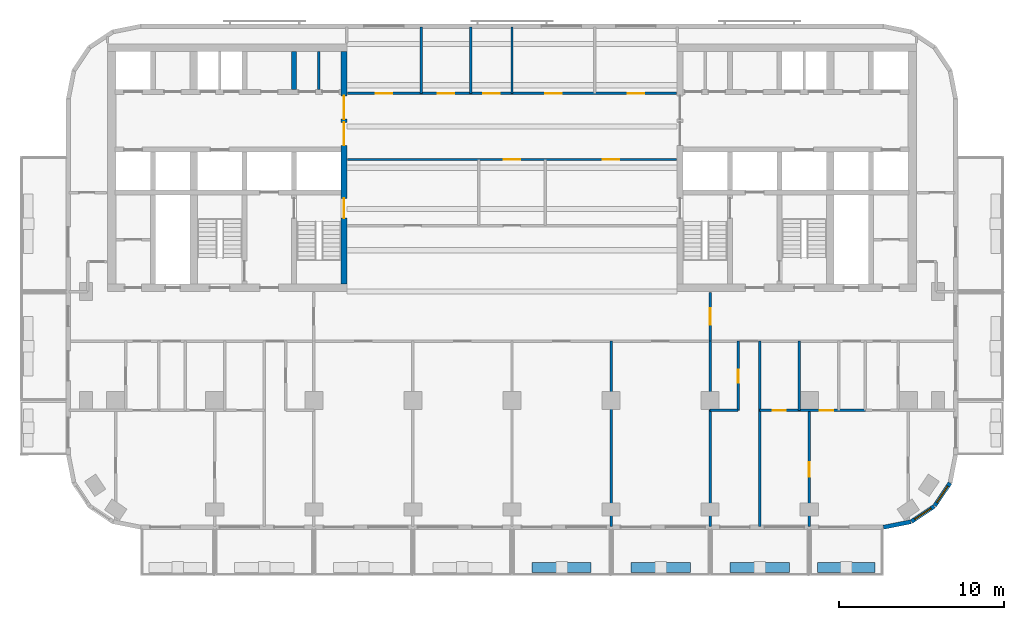
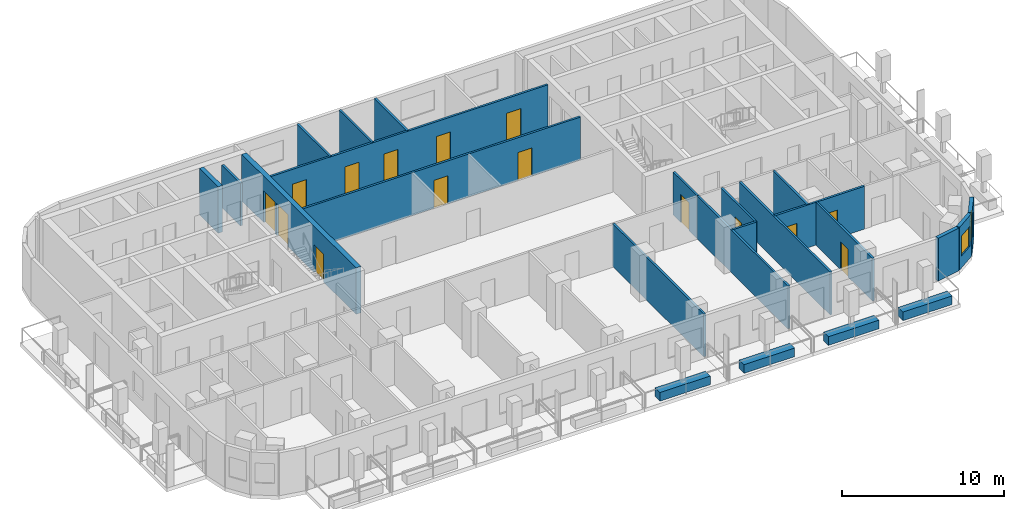
# One storey, part 5 of 12: 24 walls, 15 doors, 2 windows, 17 openings.
"""IFC4 building model written with IfcOpenShell, lengths in metres."""

from ifc_helpers import new_model, si_unit, direction, frame, frame_2d, origin, place, context, subcontext, project, spatial, rectangle, extrude, material, layer, layer_set, type_object, element, fill, save


model = new_model("IFC4")

# Units and contexts
model_context = context("Model", 3, precision=1e-05, world=origin(), true_north=direction((0.0, 1.0)))
body_context = subcontext(model_context, "Body", "Model", "MODEL_VIEW")
ifc_project = project(units=[si_unit("LENGTHUNIT", "METRE"), si_unit("AREAUNIT", "SQUARE_METRE"), si_unit("VOLUMEUNIT", "CUBIC_METRE"), si_unit("PLANEANGLEUNIT", "RADIAN"), si_unit("MASSUNIT", "GRAM", prefix="KILO")], contexts=[model_context])

# Site, building, storey
site_placement = place(None, origin())
site = spatial("IfcSite", under=ifc_project, at=site_placement, CompositionType="ELEMENT")
building_placement = place(site_placement, origin())
building = spatial("IfcBuilding", under=site, at=building_placement, Name="Torana Hotel and Residences", CompositionType="ELEMENT")
storey_placement = place(building_placement, frame((0.0, 0.0, 197.60009765625)))
storey = spatial("IfcBuildingStorey", under=building, at=storey_placement, Name="L51", CompositionType="ELEMENT", Elevation=197.60009765625)

# Wall
ifc_material_1 = material(Name="Concrete C70/85", Category="concrete")
ifc_layer_1 = layer(ifc_material_1, 0.300048828125)
ifc_layer_set_1 = layer_set([ifc_layer_1], Name="CORE WALL 300 C70/85")
wall_type_1 = type_object("IfcWallType", Name="CORE WALL 300 C70/85", PredefinedType="SHEAR", material=ifc_layer_set_1)
wall_1_placement = place(storey_placement, frame((-13.199951171875, -2.75, 0.0), z_axis=(0.0, 0.0, 1.0), x_axis=(0.0, 1.0, 0.0)))
element("IfcWall", 1, at=wall_1_placement, inside=storey, type_object=wall_type_1, Name="Core wall W x3.05-N", PredefinedType="SHEAR", context=body_context, shape_type="SweptSolid", body=[
    extrude(rectangle(XDim=2.300048828125, YDim=0.300048828125, at=frame_2d((1.14990234375, 0.0))), origin(), (0.0, 0.0, 1.0), 3.5),
])

# Wall, openings, doors
ifc_material_2 = material(Name="Concrete C70/85", Category="concrete")
ifc_layer_2 = layer(ifc_material_2, 0.35009765625)
ifc_layer_set_2 = layer_set([ifc_layer_2], Name="CORE WALL 350 C70/85")
wall_type_2 = type_object("IfcWallType", Name="CORE WALL 350 C70/85", PredefinedType="SHEAR", material=ifc_layer_set_2)
wall_2_placement = place(storey_placement, frame((-10.175048828125, -14.550048828125, 0.0), z_axis=(0.0, 0.0, 1.0), x_axis=(0.0, 1.0, 0.0)))
wall_2 = element("IfcWall", 2, at=wall_2_placement, inside=storey, type_object=wall_type_2, Name="Core wall W arch", PredefinedType="SHEAR", context=body_context, shape_type="SweptSolid", body=[
    extrude(rectangle(XDim=14.10009765625, YDim=0.35009765625, at=frame_2d((7.050048828125, 0.0))), origin(), (0.0, 0.0, 1.0), 3.5),
])
opening_1_placement = place(wall_2_placement, frame((8.39990234375, 0.0, 0.0)))
opening_1 = element("IfcOpeningElement", 3, at=opening_1_placement, cuts=wall_2, Name="Opening L51-01", PredefinedType="OPENING", context=body_context, shape_type="SweptSolid", body=[
    extrude(rectangle(XDim=1.39990234375, YDim=2.39990234375, at=frame_2d((0.699951171875, 1.199951171875))), frame((0.0, 0.18505859375, 0.0), z_axis=(0.0, -1.0, 0.0), x_axis=(1.0, 0.0, 0.0)), (0.0, 0.0, 1.0), 0.3701171875),
])
opening_2_placement = place(wall_2_placement, frame((10.0, 0.0, 0.0)))
opening_2 = element("IfcOpeningElement", 4, at=opening_2_placement, cuts=wall_2, Name="Opening L51-02", PredefinedType="OPENING", context=body_context, shape_type="SweptSolid", body=[
    extrude(rectangle(XDim=1.39990234375, YDim=2.39990234375, at=frame_2d((0.699951171875, 1.199951171875))), frame((0.0, 0.18505859375, 0.0), z_axis=(0.0, -1.0, 0.0), x_axis=(1.0, 0.0, 0.0)), (0.0, 0.0, 1.0), 0.3701171875),
])
opening_3_placement = place(wall_2_placement, frame((4.0, 0.0, 0.0)))
opening_3 = element("IfcOpeningElement", 5, at=opening_3_placement, cuts=wall_2, Name="Opening L51-03", PredefinedType="OPENING", context=body_context, shape_type="SweptSolid", body=[
    extrude(rectangle(XDim=1.199951171875, YDim=2.10009765625, at=frame_2d((0.60009765625, 1.050048828125))), frame((0.0, 0.18505859375, 0.0), z_axis=(0.0, -1.0, 0.0), x_axis=(1.0, 0.0, 0.0)), (0.0, 0.0, 1.0), 0.3701171875),
])
ifc_material_3 = material(Name="Steel S235", Category="steel")
door_type_1 = type_object("IfcDoorType", Name="LOBBY FIRE DOOR D4 1400x2400", OperationType="DOUBLE_DOOR_SINGLE_SWING", PredefinedType="DOOR", material=ifc_material_3)
door_1_placement = place(opening_1_placement, origin())
door_1 = element("IfcDoor", 6, at=door_1_placement, inside=storey, type_object=door_type_1, Name="Lobby-1 door L51", OperationType="DOUBLE_DOOR_SINGLE_SWING", OverallHeight=2.39990234375, OverallWidth=1.39990234375, PredefinedType="DOOR", context=body_context, shape_type="SweptSolid", body=[
    extrude(rectangle(XDim=1.39990234375, YDim=2.39990234375, at=frame_2d((0.699951171875, 1.199951171875))), frame((0.0, 0.02490234375, 0.0), z_axis=(0.0, -1.0, 0.0), x_axis=(1.0, 0.0, 0.0)), (0.0, 0.0, 1.0), 0.050048828125),
])
fill(opening_1, door_1)
door_2_placement = place(opening_2_placement, origin())
door_2 = element("IfcDoor", 7, at=door_2_placement, inside=storey, type_object=door_type_1, Name="Lobby-2 door L51", OperationType="DOUBLE_DOOR_SINGLE_SWING", OverallHeight=2.39990234375, OverallWidth=1.39990234375, PredefinedType="DOOR", context=body_context, shape_type="SweptSolid", body=[
    extrude(rectangle(XDim=1.39990234375, YDim=2.39990234375, at=frame_2d((0.699951171875, 1.199951171875))), frame((0.0, 0.02490234375, 0.0), z_axis=(0.0, -1.0, 0.0), x_axis=(1.0, 0.0, 0.0)), (0.0, 0.0, 1.0), 0.050048828125),
])
fill(opening_2, door_2)
ifc_material_4 = material(Name="Steel S235", Category="steel")
door_type_2 = type_object("IfcDoorType", Name="STAIR FIRE DOOR D3 1200x2100", OperationType="SINGLE_SWING_LEFT", PredefinedType="DOOR", material=ifc_material_4)
door_3_placement = place(opening_3_placement, origin())
door_3 = element("IfcDoor", 8, at=door_3_placement, inside=storey, type_object=door_type_2, Name="Stair-A door L51", OperationType="SINGLE_SWING_LEFT", OverallHeight=2.10009765625, OverallWidth=1.199951171875, PredefinedType="DOOR", context=body_context, shape_type="SweptSolid", body=[
    extrude(rectangle(XDim=1.199951171875, YDim=2.10009765625, at=frame_2d((0.60009765625, 1.050048828125))), frame((0.0, 0.02490234375, 0.0), z_axis=(0.0, -1.0, 0.0), x_axis=(1.0, 0.0, 0.0)), (0.0, 0.0, 1.0), 0.050048828125),
])
fill(opening_3, door_3)

# Wall
ifc_material_5 = material(Name="Black aluminium composite panel", Category="aluminium")
ifc_layer_3 = layer(ifc_material_5, 0.00390625, Name="Cladding", Category="cladding")
ifc_material_6 = material(Name="Ventilated air cavity")
ifc_layer_4 = layer(ifc_material_6, 0.0400390625, Name="Ventilated cavity", Category="cavity")
ifc_material_7 = material(Name="Mineral wool insulation")
ifc_layer_5 = layer(ifc_material_7, 0.090087890625, Name="Insulation", Category="insulation")
ifc_material_8 = material(Name="Steel S280GD", Category="steel")
ifc_layer_6 = layer(ifc_material_8, 0.092041015625, Name="Steel stud frame", Category="structure")
ifc_material_9 = material(Name="Fire rated plasterboard")
ifc_layer_7 = layer(ifc_material_9, 0.011962890625, Name="Inner board", Category="finish")
ifc_layer_8 = layer(ifc_material_9, 0.011962890625, Name="Second board", Category="finish")
ifc_layer_set_3 = layer_set([ifc_layer_3, ifc_layer_4, ifc_layer_5, ifc_layer_6, ifc_layer_7, ifc_layer_8], Name="EW1 EXTERNAL WALL BLACK METAL CLAD 250")
wall_type_3 = type_object("IfcWallType", Name="EW1 EXTERNAL WALL BLACK METAL CLAD 250", PredefinedType="SOLIDWALL", material=ifc_layer_set_3)
wall_3_placement = place(storey_placement, frame((22.499755859375, -29.272705078125, 0.0), z_axis=(0.0, 0.0, 1.0), x_axis=(0.980775640221, 0.19513878023, 0.0)))
element("IfcWall", 9, at=wall_3_placement, inside=storey, type_object=wall_type_3, Name="External wall L51 e0.15", PredefinedType="SOLIDWALL", context=body_context, shape_type="SweptSolid", body=[
    extrude(rectangle(XDim=1.681396484375, YDim=0.25, at=frame_2d((0.8408203125, 0.0))), origin(), (0.0, 0.0, 1.0), 3.219970703125),
])

# Wall, opening, window
wall_4_placement = place(storey_placement, frame((24.194091796875, -28.92578125, 0.0), z_axis=(0.0, 0.0, 1.0), x_axis=(0.831482937015, 0.55555029066, 0.0)))
wall_4 = element("IfcWall", 10, at=wall_4_placement, inside=storey, type_object=wall_type_3, Name="External wall L51 e0.16", PredefinedType="SOLIDWALL", context=body_context, shape_type="SweptSolid", body=[
    extrude(rectangle(XDim=1.65625, YDim=0.25, at=frame_2d((0.828125, 0.0))), origin(), (0.0, 0.0, 1.0), 3.219970703125),
])
opening_4_placement = place(wall_4_placement, frame((0.228271484375, 0.0, 0.89990234375)))
opening_4 = element("IfcOpeningElement", 11, at=opening_4_placement, cuts=wall_4, Name="Opening W5", PredefinedType="OPENING", context=body_context, shape_type="SweptSolid", body=[
    extrude(rectangle(XDim=1.199951171875, YDim=1.5, at=frame_2d((0.60009765625, 0.75))), frame((0.0, 0.135009765625, 0.0), z_axis=(0.0, -1.0, 0.0), x_axis=(1.0, 0.0, 0.0)), (0.0, 0.0, 1.0), 0.27001953125),
])
ifc_material_10 = material(Name="Dark glass in black aluminium frame", Category="aluminium")
window_type = type_object("IfcWindowType", Name="W5 CORNER FACET WINDOW 1200x1500", PartitioningType="SINGLE_PANEL", PredefinedType="WINDOW", material=ifc_material_10)
window_1_placement = place(opening_4_placement, origin())
window_1 = element("IfcWindow", 12, at=window_1_placement, inside=storey, type_object=window_type, Name="Window L51 e0.16", OverallHeight=1.5, OverallWidth=1.199951171875, PartitioningType="SINGLE_PANEL", PredefinedType="WINDOW", context=body_context, shape_type="SweptSolid", body=[
    extrude(rectangle(XDim=1.199951171875, YDim=1.5, at=frame_2d((0.60009765625, 0.75))), frame((0.0, 0.030029296875, 0.0), z_axis=(0.0, -1.0, 0.0), x_axis=(1.0, 0.0, 0.0)), (0.0, 0.0, 1.0), 0.06005859375),
])
fill(opening_4, window_1)

wall_5_placement = place(storey_placement, frame((25.605712890625, -27.97119140625, 0.0), z_axis=(0.0, 0.0, 1.0), x_axis=(0.55555029066, 0.831482937015, 0.0)))
wall_5 = element("IfcWall", 13, at=wall_5_placement, inside=storey, type_object=wall_type_3, Name="External wall L51 e0.17", PredefinedType="SOLIDWALL", context=body_context, shape_type="SweptSolid", body=[
    extrude(rectangle(XDim=1.65625, YDim=0.25, at=frame_2d((0.828125, 0.0))), origin(), (0.0, 0.0, 1.0), 3.219970703125),
])
opening_5_placement = place(wall_5_placement, frame((0.228271484375, 0.0, 0.89990234375)))
opening_5 = element("IfcOpeningElement", 14, at=opening_5_placement, cuts=wall_5, Name="Opening W5", PredefinedType="OPENING", context=body_context, shape_type="SweptSolid", body=[
    extrude(rectangle(XDim=1.199951171875, YDim=1.5, at=frame_2d((0.60009765625, 0.75))), frame((0.0, 0.135009765625, 0.0), z_axis=(0.0, -1.0, 0.0), x_axis=(1.0, 0.0, 0.0)), (0.0, 0.0, 1.0), 0.27001953125),
])
window_2_placement = place(opening_5_placement, origin())
window_2 = element("IfcWindow", 15, at=window_2_placement, inside=storey, type_object=window_type, Name="Window L51 e0.17", OverallHeight=1.5, OverallWidth=1.199951171875, PartitioningType="SINGLE_PANEL", PredefinedType="WINDOW", context=body_context, shape_type="SweptSolid", body=[
    extrude(rectangle(XDim=1.199951171875, YDim=1.5, at=frame_2d((0.60009765625, 0.75))), frame((0.0, 0.030029296875, 0.0), z_axis=(0.0, -1.0, 0.0), x_axis=(1.0, 0.0, 0.0)), (0.0, 0.0, 1.0), 0.06005859375),
])
fill(opening_5, window_2)

# Wall
ifc_material_11 = material(Name="Gypsum plaster")
ifc_layer_9 = layer(ifc_material_11, 0.014892578125, Name="Plaster", Category="finish")
ifc_material_12 = material(Name="Concrete blockwork", Category="masonry")
ifc_layer_10 = layer(ifc_material_12, 0.1201171875, Name="Blockwork", Category="structure")
ifc_layer_11 = layer(ifc_material_11, 0.014892578125, Name="Plaster", Category="finish")
ifc_layer_set_4 = layer_set([ifc_layer_9, ifc_layer_10, ifc_layer_11], Name="FIRE PARTITION 150 BLOCKWORK")
wall_type_4 = type_object("IfcWallType", Name="FIRE PARTITION 150 BLOCKWORK", PredefinedType="PARTITIONING", material=ifc_layer_set_4)
wall_6_placement = place(storey_placement, frame((-11.699951171875, -2.75, 0.0), z_axis=(0.0, 0.0, 1.0), x_axis=(0.0, 1.0, 0.0)))
element("IfcWall", 16, at=wall_6_placement, inside=storey, type_object=wall_type_4, Name="Core partition L51", PredefinedType="PARTITIONING", context=body_context, shape_type="SweptSolid", body=[
    extrude(rectangle(XDim=2.300048828125, YDim=0.14990234375, at=frame_2d((1.14990234375, 0.0))), origin(), (0.0, 0.0, 1.0), 3.199951171875),
])

# Wall, opening, door
wall_7_placement = place(storey_placement, frame((12.0, -18.0, 0.0), z_axis=(0.0, 0.0, 1.0), x_axis=(0.0, 1.0, 0.0)))
wall_7 = element("IfcWall", 17, at=wall_7_placement, inside=storey, type_object=wall_type_4, Name="Partition L51", PredefinedType="PARTITIONING", context=body_context, shape_type="SweptSolid", body=[
    extrude(rectangle(XDim=2.949951171875, YDim=0.14990234375, at=frame_2d((1.47509765625, 0.0))), origin(), (0.0, 0.0, 1.0), 3.219970703125),
])
opening_6_placement = place(wall_7_placement, frame((1.0, 0.0, 0.0)))
opening_6 = element("IfcOpeningElement", 18, at=opening_6_placement, cuts=wall_7, Name="Opening L51-38", PredefinedType="OPENING", context=body_context, shape_type="SweptSolid", body=[
    extrude(rectangle(XDim=1.0, YDim=2.10009765625, at=frame_2d((0.5, 1.050048828125))), frame((0.0, 0.0849609375, 0.0), z_axis=(0.0, -1.0, 0.0), x_axis=(1.0, 0.0, 0.0)), (0.0, 0.0, 1.0), 0.169921875),
])
ifc_material_13 = material(Name="Steel S235", Category="steel")
door_type_3 = type_object("IfcDoorType", Name="ENTRY FIRE DOOR D6 1000x2100", OperationType="SINGLE_SWING_LEFT", PredefinedType="DOOR", material=ifc_material_13)
door_4_placement = place(opening_6_placement, origin())
door_4 = element("IfcDoor", 19, at=door_4_placement, inside=storey, type_object=door_type_3, Name="Door L51", OperationType="SINGLE_SWING_RIGHT", OverallHeight=2.10009765625, OverallWidth=1.0, PredefinedType="DOOR", context=body_context, shape_type="SweptSolid", body=[
    extrude(rectangle(XDim=1.0, YDim=2.10009765625, at=frame_2d((0.5, 1.050048828125))), frame((0.0, 0.02490234375, 0.0), z_axis=(0.0, -1.0, 0.0), x_axis=(1.0, 0.0, 0.0)), (0.0, 0.0, 1.0), 0.050048828125),
])
fill(opening_6, door_4)

# Wall, openings, doors
wall_8_placement = place(storey_placement, frame((-9.949951171875, -7.0, 0.0), z_axis=(0.0, 0.0, 1.0), x_axis=(1.0, 0.0, 0.0)))
wall_8 = element("IfcWall", 20, at=wall_8_placement, inside=storey, type_object=wall_type_4, Name="Partition L51", PredefinedType="PARTITIONING", context=body_context, shape_type="SweptSolid", body=[
    extrude(rectangle(XDim=19.89990234375, YDim=0.14990234375, at=frame_2d((9.949951171875, 0.0))), origin(), (0.0, 0.0, 1.0), 3.219970703125),
])
opening_7_placement = place(wall_8_placement, frame((9.449951171875, 0.0, 0.0)))
opening_7 = element("IfcOpeningElement", 21, at=opening_7_placement, cuts=wall_8, Name="Opening L51-49", PredefinedType="OPENING", context=body_context, shape_type="SweptSolid", body=[
    extrude(rectangle(XDim=1.0, YDim=2.10009765625, at=frame_2d((0.5, 1.050048828125))), frame((0.0, 0.0849609375, 0.0), z_axis=(0.0, -1.0, 0.0), x_axis=(1.0, 0.0, 0.0)), (0.0, 0.0, 1.0), 0.169921875),
])
opening_8_placement = place(wall_8_placement, frame((15.449951171875, 0.0, 0.0)))
opening_8 = element("IfcOpeningElement", 22, at=opening_8_placement, cuts=wall_8, Name="Opening L51-50", PredefinedType="OPENING", context=body_context, shape_type="SweptSolid", body=[
    extrude(rectangle(XDim=1.0, YDim=2.10009765625, at=frame_2d((0.5, 1.050048828125))), frame((0.0, 0.0849609375, 0.0), z_axis=(0.0, -1.0, 0.0), x_axis=(1.0, 0.0, 0.0)), (0.0, 0.0, 1.0), 0.169921875),
])
door_5_placement = place(opening_7_placement, origin())
door_5 = element("IfcDoor", 23, at=door_5_placement, inside=storey, type_object=door_type_3, Name="Door L51", OperationType="SINGLE_SWING_RIGHT", OverallHeight=2.10009765625, OverallWidth=1.0, PredefinedType="DOOR", context=body_context, shape_type="SweptSolid", body=[
    extrude(rectangle(XDim=1.0, YDim=2.10009765625, at=frame_2d((0.5, 1.050048828125))), frame((0.0, 0.02490234375, 0.0), z_axis=(0.0, -1.0, 0.0), x_axis=(1.0, 0.0, 0.0)), (0.0, 0.0, 1.0), 0.050048828125),
])
fill(opening_7, door_5)
door_6_placement = place(opening_8_placement, frame((0.5, 0.0, 0.0), z_axis=(0.0, 0.0, 1.0), x_axis=(-1.0, 0.0, 0.0)))
door_6 = element("IfcDoor", 24, at=door_6_placement, inside=storey, type_object=door_type_3, Name="Door L51", OperationType="SINGLE_SWING_LEFT", OverallHeight=2.10009765625, OverallWidth=1.0, PredefinedType="DOOR", context=body_context, shape_type="SweptSolid", body=[
    extrude(rectangle(XDim=1.0, YDim=2.10009765625, at=frame_2d((0.0, 1.050048828125))), frame((0.0, -0.02490234375, 0.0), z_axis=(0.0, 1.0, 0.0), x_axis=(-1.0, 0.0, 0.0)), (0.0, 0.0, 1.0), 0.050048828125),
])
fill(opening_8, door_6)

wall_9_placement = place(storey_placement, frame((-9.949951171875, -3.0, 0.0), z_axis=(0.0, 0.0, 1.0), x_axis=(1.0, 0.0, 0.0)))
wall_9 = element("IfcWall", 25, at=wall_9_placement, inside=storey, type_object=wall_type_4, Name="Partition L51", PredefinedType="PARTITIONING", context=body_context, shape_type="SweptSolid", body=[
    extrude(rectangle(XDim=19.89990234375, YDim=0.14990234375, at=frame_2d((9.949951171875, 0.0))), origin(), (0.0, 0.0, 1.0), 3.219970703125),
])
opening_9_placement = place(wall_9_placement, frame((1.699951171875, 0.0, 0.0)))
opening_9 = element("IfcOpeningElement", 26, at=opening_9_placement, cuts=wall_9, Name="Opening L51-51", PredefinedType="OPENING", context=body_context, shape_type="SweptSolid", body=[
    extrude(rectangle(XDim=1.0, YDim=2.10009765625, at=frame_2d((0.5, 1.050048828125))), frame((0.0, 0.0849609375, 0.0), z_axis=(0.0, -1.0, 0.0), x_axis=(1.0, 0.0, 0.0)), (0.0, 0.0, 1.0), 0.169921875),
])
opening_10_placement = place(wall_9_placement, frame((5.449951171875, 0.0, 0.0)))
opening_10 = element("IfcOpeningElement", 27, at=opening_10_placement, cuts=wall_9, Name="Opening L51-52", PredefinedType="OPENING", context=body_context, shape_type="SweptSolid", body=[
    extrude(rectangle(XDim=1.0, YDim=2.10009765625, at=frame_2d((0.5, 1.050048828125))), frame((0.0, 0.0849609375, 0.0), z_axis=(0.0, -1.0, 0.0), x_axis=(1.0, 0.0, 0.0)), (0.0, 0.0, 1.0), 0.169921875),
])
opening_11_placement = place(wall_9_placement, frame((8.199951171875, 0.0, 0.0)))
opening_11 = element("IfcOpeningElement", 28, at=opening_11_placement, cuts=wall_9, Name="Opening L51-53", PredefinedType="OPENING", context=body_context, shape_type="SweptSolid", body=[
    extrude(rectangle(XDim=1.0, YDim=2.10009765625, at=frame_2d((0.5, 1.050048828125))), frame((0.0, 0.0849609375, 0.0), z_axis=(0.0, -1.0, 0.0), x_axis=(1.0, 0.0, 0.0)), (0.0, 0.0, 1.0), 0.169921875),
])
opening_12_placement = place(wall_9_placement, frame((11.949951171875, 0.0, 0.0)))
opening_12 = element("IfcOpeningElement", 29, at=opening_12_placement, cuts=wall_9, Name="Opening L51-54", PredefinedType="OPENING", context=body_context, shape_type="SweptSolid", body=[
    extrude(rectangle(XDim=1.0, YDim=2.10009765625, at=frame_2d((0.5, 1.050048828125))), frame((0.0, 0.0849609375, 0.0), z_axis=(0.0, -1.0, 0.0), x_axis=(1.0, 0.0, 0.0)), (0.0, 0.0, 1.0), 0.169921875),
])
opening_13_placement = place(wall_9_placement, frame((16.949951171875, 0.0, 0.0)))
opening_13 = element("IfcOpeningElement", 30, at=opening_13_placement, cuts=wall_9, Name="Opening L51-55", PredefinedType="OPENING", context=body_context, shape_type="SweptSolid", body=[
    extrude(rectangle(XDim=1.0, YDim=2.10009765625, at=frame_2d((0.5, 1.050048828125))), frame((0.0, 0.0849609375, 0.0), z_axis=(0.0, -1.0, 0.0), x_axis=(1.0, 0.0, 0.0)), (0.0, 0.0, 1.0), 0.169921875),
])
door_7_placement = place(opening_9_placement, origin())
door_7 = element("IfcDoor", 31, at=door_7_placement, inside=storey, type_object=door_type_3, Name="Door L51", OperationType="SINGLE_SWING_RIGHT", OverallHeight=2.10009765625, OverallWidth=1.0, PredefinedType="DOOR", context=body_context, shape_type="SweptSolid", body=[
    extrude(rectangle(XDim=1.0, YDim=2.10009765625, at=frame_2d((0.5, 1.050048828125))), frame((0.0, 0.02490234375, 0.0), z_axis=(0.0, -1.0, 0.0), x_axis=(1.0, 0.0, 0.0)), (0.0, 0.0, 1.0), 0.050048828125),
])
fill(opening_9, door_7)
door_8_placement = place(opening_10_placement, origin())
door_8 = element("IfcDoor", 32, at=door_8_placement, inside=storey, type_object=door_type_3, Name="Door L51", OperationType="SINGLE_SWING_RIGHT", OverallHeight=2.10009765625, OverallWidth=1.0, PredefinedType="DOOR", context=body_context, shape_type="SweptSolid", body=[
    extrude(rectangle(XDim=1.0, YDim=2.10009765625, at=frame_2d((0.5, 1.050048828125))), frame((0.0, 0.02490234375, 0.0), z_axis=(0.0, -1.0, 0.0), x_axis=(1.0, 0.0, 0.0)), (0.0, 0.0, 1.0), 0.050048828125),
])
fill(opening_10, door_8)
door_9_placement = place(opening_11_placement, origin())
door_9 = element("IfcDoor", 33, at=door_9_placement, inside=storey, type_object=door_type_3, Name="Door L51", OperationType="SINGLE_SWING_RIGHT", OverallHeight=2.10009765625, OverallWidth=1.0, PredefinedType="DOOR", context=body_context, shape_type="SweptSolid", body=[
    extrude(rectangle(XDim=1.0, YDim=2.10009765625, at=frame_2d((0.5, 1.050048828125))), frame((0.0, 0.02490234375, 0.0), z_axis=(0.0, -1.0, 0.0), x_axis=(1.0, 0.0, 0.0)), (0.0, 0.0, 1.0), 0.050048828125),
])
fill(opening_11, door_9)
door_10_placement = place(opening_12_placement, origin())
door_10 = element("IfcDoor", 34, at=door_10_placement, inside=storey, type_object=door_type_3, Name="Door L51", OperationType="SINGLE_SWING_RIGHT", OverallHeight=2.10009765625, OverallWidth=1.0, PredefinedType="DOOR", context=body_context, shape_type="SweptSolid", body=[
    extrude(rectangle(XDim=1.0, YDim=2.10009765625, at=frame_2d((0.5, 1.050048828125))), frame((0.0, 0.02490234375, 0.0), z_axis=(0.0, -1.0, 0.0), x_axis=(1.0, 0.0, 0.0)), (0.0, 0.0, 1.0), 0.050048828125),
])
fill(opening_12, door_10)
door_11_placement = place(opening_13_placement, origin())
door_11 = element("IfcDoor", 35, at=door_11_placement, inside=storey, type_object=door_type_3, Name="Door L51", OperationType="SINGLE_SWING_RIGHT", OverallHeight=2.10009765625, OverallWidth=1.0, PredefinedType="DOOR", context=body_context, shape_type="SweptSolid", body=[
    extrude(rectangle(XDim=1.0, YDim=2.10009765625, at=frame_2d((0.5, 1.050048828125))), frame((0.0, 0.02490234375, 0.0), z_axis=(0.0, -1.0, 0.0), x_axis=(1.0, 0.0, 0.0)), (0.0, 0.0, 1.0), 0.050048828125),
])
fill(opening_13, door_11)

# Wall, opening, door
ifc_material_14 = material(Name="Gypsum plasterboard")
ifc_layer_12 = layer(ifc_material_14, 0.012451171875, Name="Plasterboard", Category="finish")
ifc_layer_13 = layer(ifc_material_14, 0.012451171875, Name="Plasterboard", Category="finish")
ifc_layer_14 = layer(ifc_material_8, 0.10009765625, Name="Steel studs with mineral wool", Category="insulation")
ifc_layer_15 = layer(ifc_material_14, 0.012451171875, Name="Plasterboard", Category="finish")
ifc_layer_16 = layer(ifc_material_14, 0.012451171875, Name="Plasterboard", Category="finish")
ifc_layer_set_5 = layer_set([ifc_layer_12, ifc_layer_13, ifc_layer_14, ifc_layer_15, ifc_layer_16], Name="PARTITION 150 PLASTERBOARD")
wall_type_5 = type_object("IfcWallType", Name="PARTITION 150 PLASTERBOARD", PredefinedType="PARTITIONING", material=ifc_layer_set_5)
wall_10_placement = place(storey_placement, frame((18.0, -29.219970703125, 0.0), z_axis=(0.0, 0.0, 1.0), x_axis=(0.0, 1.0, 0.0)))
wall_10 = element("IfcWall", 36, at=wall_10_placement, inside=storey, type_object=wall_type_5, Name="Partition L51", PredefinedType="PARTITIONING", context=body_context, shape_type="SweptSolid", body=[
    extrude(rectangle(XDim=7.02001953125, YDim=0.14990234375, at=frame_2d((3.510009765625, 0.0))), origin(), (0.0, 0.0, 1.0), 3.219970703125),
])
opening_14_placement = place(wall_10_placement, frame((2.989990234375, 0.0, 0.0)))
opening_14 = element("IfcOpeningElement", 37, at=opening_14_placement, cuts=wall_10, Name="Opening L51-68", PredefinedType="OPENING", context=body_context, shape_type="SweptSolid", body=[
    extrude(rectangle(XDim=0.89990234375, YDim=2.10009765625, at=frame_2d((0.449951171875, 1.050048828125))), frame((0.0, 0.0849609375, 0.0), z_axis=(0.0, -1.0, 0.0), x_axis=(1.0, 0.0, 0.0)), (0.0, 0.0, 1.0), 0.169921875),
])
ifc_material_15 = material(Name="Timber door, oiled ash", Category="wood")
door_type_4 = type_object("IfcDoorType", Name="ROOM DOOR D7 900x2100", OperationType="SINGLE_SWING_LEFT", PredefinedType="DOOR", material=ifc_material_15)
door_12_placement = place(opening_14_placement, origin())
door_12 = element("IfcDoor", 38, at=door_12_placement, inside=storey, type_object=door_type_4, Name="Door L51", OperationType="SINGLE_SWING_RIGHT", OverallHeight=2.10009765625, OverallWidth=0.89990234375, PredefinedType="DOOR", context=body_context, shape_type="SweptSolid", body=[
    extrude(rectangle(XDim=0.89990234375, YDim=2.10009765625, at=frame_2d((0.449951171875, 1.050048828125))), frame((0.0, 0.02490234375, 0.0), z_axis=(0.0, -1.0, 0.0), x_axis=(1.0, 0.0, 0.0)), (0.0, 0.0, 1.0), 0.050048828125),
])
fill(opening_14, door_12)

# Walls
wall_11_placement = place(storey_placement, frame((17.39990234375, -22.199951171875, 0.0), z_axis=(0.0, 0.0, 1.0), x_axis=(0.0, 1.0, 0.0)))
element("IfcWall", 39, at=wall_11_placement, inside=storey, type_object=wall_type_5, Name="Partition L51", PredefinedType="PARTITIONING", context=body_context, shape_type="SweptSolid", body=[
    extrude(rectangle(XDim=4.199951171875, YDim=0.14990234375, at=frame_2d((2.10009765625, 0.0))), origin(), (0.0, 0.0, 1.0), 3.219970703125),
])
wall_12_placement = place(storey_placement, frame((15.0, -29.219970703125, 0.0), z_axis=(0.0, 0.0, 1.0), x_axis=(0.0, 1.0, 0.0)))
element("IfcWall", 40, at=wall_12_placement, inside=storey, type_object=wall_type_5, Name="Partition L51", PredefinedType="PARTITIONING", context=body_context, shape_type="SweptSolid", body=[
    extrude(rectangle(XDim=11.219970703125, YDim=0.14990234375, at=frame_2d((5.60986328125, 0.0))), origin(), (0.0, 0.0, 1.0), 3.219970703125),
])

# Wall, opening, door
wall_13_placement = place(storey_placement, frame((13.699951171875, -22.199951171875, 0.0), z_axis=(0.0, 0.0, 1.0), x_axis=(0.0, 1.0, 0.0)))
wall_13 = element("IfcWall", 41, at=wall_13_placement, inside=storey, type_object=wall_type_5, Name="Partition L51", PredefinedType="PARTITIONING", context=body_context, shape_type="SweptSolid", body=[
    extrude(rectangle(XDim=4.199951171875, YDim=0.14990234375, at=frame_2d((2.10009765625, 0.0))), origin(), (0.0, 0.0, 1.0), 3.219970703125),
])
opening_15_placement = place(wall_13_placement, frame((1.679931640625, 0.0, 0.0)))
opening_15 = element("IfcOpeningElement", 42, at=opening_15_placement, cuts=wall_13, Name="Opening L51-57", PredefinedType="OPENING", context=body_context, shape_type="SweptSolid", body=[
    extrude(rectangle(XDim=0.800048828125, YDim=2.10009765625, at=frame_2d((0.39990234375, 1.050048828125))), frame((0.0, 0.0849609375, 0.0), z_axis=(0.0, -1.0, 0.0), x_axis=(1.0, 0.0, 0.0)), (0.0, 0.0, 1.0), 0.169921875),
])
ifc_material_16 = material(Name="Timber door, painted", Category="wood")
door_type_5 = type_object("IfcDoorType", Name="BATH DOOR D13 800x2100", OperationType="SINGLE_SWING_LEFT", PredefinedType="DOOR", material=ifc_material_16)
door_13_placement = place(opening_15_placement, origin())
door_13 = element("IfcDoor", 43, at=door_13_placement, inside=storey, type_object=door_type_5, Name="Door L51", OperationType="SINGLE_SWING_RIGHT", OverallHeight=2.10009765625, OverallWidth=0.800048828125, PredefinedType="DOOR", context=body_context, shape_type="SweptSolid", body=[
    extrude(rectangle(XDim=0.800048828125, YDim=2.10009765625, at=frame_2d((0.39990234375, 1.050048828125))), frame((0.0, 0.02490234375, 0.0), z_axis=(0.0, -1.0, 0.0), x_axis=(1.0, 0.0, 0.0)), (0.0, 0.0, 1.0), 0.050048828125),
])
fill(opening_15, door_13)

# Walls
for number, where, z_axis, x_axis, name in (
    (44, (12.0, -29.219970703125, 0.0), (0.0, 0.0, 1.0), (0.0, 1.0, 0.0), "Partition L51"),
    (45, (6.0, -29.219970703125, 0.0), (0.0, 0.0, 1.0), (0.0, 1.0, 0.0), "Partition L51"),
):
    element("IfcWall", number, at=place(storey_placement, frame(where, z_axis=z_axis, x_axis=x_axis)), inside=storey, type_object=wall_type_5, Name=name, PredefinedType="PARTITIONING", context=body_context, shape_type="SweptSolid", body=[
        extrude(rectangle(XDim=11.219970703125, YDim=0.14990234375, at=frame_2d((5.60986328125, 0.0))), origin(), (0.0, 0.0, 1.0), 3.219970703125),
    ])
wall_14_placement = place(storey_placement, frame((12.0, -22.199951171875, 0.0), z_axis=(0.0, 0.0, 1.0), x_axis=(1.0, 0.0, 0.0)))
element("IfcWall", 46, at=wall_14_placement, inside=storey, type_object=wall_type_5, Name="Partition L51", PredefinedType="PARTITIONING", context=body_context, shape_type="SweptSolid", body=[
    extrude(rectangle(XDim=1.699951171875, YDim=0.14990234375, at=frame_2d((0.85009765625, 0.0))), origin(), (0.0, 0.0, 1.0), 3.219970703125),
])

# Wall, openings, doors
wall_15_placement = place(storey_placement, frame((15.0, -22.199951171875, 0.0), z_axis=(0.0, 0.0, 1.0), x_axis=(1.0, 0.0, 0.0)))
wall_15 = element("IfcWall", 47, at=wall_15_placement, inside=storey, type_object=wall_type_5, Name="Partition L51", PredefinedType="PARTITIONING", context=body_context, shape_type="SweptSolid", body=[
    extrude(rectangle(XDim=6.39990234375, YDim=0.14990234375, at=frame_2d((3.199951171875, 0.0))), origin(), (0.0, 0.0, 1.0), 3.219970703125),
])
opening_16_placement = place(wall_15_placement, frame((0.780029296875, 0.0, 0.0)))
opening_16 = element("IfcOpeningElement", 48, at=opening_16_placement, cuts=wall_15, Name="Opening L51-64", PredefinedType="OPENING", context=body_context, shape_type="SweptSolid", body=[
    extrude(rectangle(XDim=0.800048828125, YDim=2.10009765625, at=frame_2d((0.39990234375, 1.050048828125))), frame((0.0, 0.0849609375, 0.0), z_axis=(0.0, -1.0, 0.0), x_axis=(1.0, 0.0, 0.0)), (0.0, 0.0, 1.0), 0.169921875),
])
opening_17_placement = place(wall_15_placement, frame((3.64990234375, 0.0, 0.0)))
opening_17 = element("IfcOpeningElement", 49, at=opening_17_placement, cuts=wall_15, Name="Opening L51-65", PredefinedType="OPENING", context=body_context, shape_type="SweptSolid", body=[
    extrude(rectangle(XDim=0.800048828125, YDim=2.10009765625, at=frame_2d((0.39990234375, 1.050048828125))), frame((0.0, 0.0849609375, 0.0), z_axis=(0.0, -1.0, 0.0), x_axis=(1.0, 0.0, 0.0)), (0.0, 0.0, 1.0), 0.169921875),
])
door_14_placement = place(opening_16_placement, origin())
door_14 = element("IfcDoor", 50, at=door_14_placement, inside=storey, type_object=door_type_5, Name="Door L51", OperationType="SINGLE_SWING_RIGHT", OverallHeight=2.10009765625, OverallWidth=0.800048828125, PredefinedType="DOOR", context=body_context, shape_type="SweptSolid", body=[
    extrude(rectangle(XDim=0.800048828125, YDim=2.10009765625, at=frame_2d((0.39990234375, 1.050048828125))), frame((0.0, 0.02490234375, 0.0), z_axis=(0.0, -1.0, 0.0), x_axis=(1.0, 0.0, 0.0)), (0.0, 0.0, 1.0), 0.050048828125),
])
fill(opening_16, door_14)
door_15_placement = place(opening_17_placement, origin())
door_15 = element("IfcDoor", 51, at=door_15_placement, inside=storey, type_object=door_type_5, Name="Door L51", OperationType="SINGLE_SWING_RIGHT", OverallHeight=2.10009765625, OverallWidth=0.800048828125, PredefinedType="DOOR", context=body_context, shape_type="SweptSolid", body=[
    extrude(rectangle(XDim=0.800048828125, YDim=2.10009765625, at=frame_2d((0.39990234375, 1.050048828125))), frame((0.0, 0.02490234375, 0.0), z_axis=(0.0, -1.0, 0.0), x_axis=(1.0, 0.0, 0.0)), (0.0, 0.0, 1.0), 0.050048828125),
])
fill(opening_17, door_15)

# Walls
ifc_material_17 = material(Name="Concrete C40/50 precast", Category="concrete")
ifc_layer_17 = layer(ifc_material_17, 0.10009765625, Name="Planter shell", Category="structure")
ifc_material_18 = material(Name="Root resistant membrane")
ifc_layer_18 = layer(ifc_material_18, 0.00390625, Name="Waterproofing membrane", Category="membrane")
ifc_material_19 = material(Name="Drainage board with filter fleece")
ifc_layer_19 = layer(ifc_material_19, 0.02001953125, Name="Drainage board", Category="drainage")
ifc_material_20 = material(Name="Growing medium")
ifc_layer_20 = layer(ifc_material_20, 0.47607421875, Name="Planting substrate", Category="soil")
ifc_layer_set_6 = layer_set([ifc_layer_17, ifc_layer_18, ifc_layer_19, ifc_layer_20], Name="PL1 BALCONY PLANTER 600")
wall_type_6 = type_object("IfcWallType", Name="PL1 BALCONY PLANTER 600", PredefinedType="USERDEFINED", material=ifc_layer_set_6)
for number, where, z_axis, x_axis, name in (
    (52, (4.800048828125, -31.699951171875, 0.0), (0.0, 0.0, 1.0), (-1.0, 0.0, 0.0), "Planter 05"),
    (53, (10.800048828125, -31.699951171875, 0.0), (0.0, 0.0, 1.0), (-1.0, 0.0, 0.0), "Planter 06"),
    (54, (16.800048828125, -31.699951171875, 0.0), (0.0, 0.0, 1.0), (-1.0, 0.0, 0.0), "Planter 07"),
):
    element("IfcWall", number, at=place(storey_placement, frame(where, z_axis=z_axis, x_axis=x_axis)), inside=storey, type_object=wall_type_6, Name=name, ObjectType="PLANTER", PredefinedType="USERDEFINED", context=body_context, shape_type="SweptSolid", body=[
        extrude(rectangle(XDim=3.60009765625, YDim=0.60009765625, at=frame_2d((1.800048828125, 0.0))), origin(), (0.0, 0.0, 1.0), 0.64990234375),
    ])
wall_16_placement = place(storey_placement, frame((22.0, -31.699951171875, 0.0), z_axis=(0.0, 0.0, 1.0), x_axis=(-1.0, 0.0, 0.0)))
element("IfcWall", 55, at=wall_16_placement, inside=storey, type_object=wall_type_6, Name="Planter 08", ObjectType="PLANTER", PredefinedType="USERDEFINED", context=body_context, shape_type="SweptSolid", body=[
    extrude(rectangle(XDim=3.5, YDim=0.60009765625, at=frame_2d((1.75, 0.0))), origin(), (0.0, 0.0, 1.0), 0.64990234375),
])
ifc_material_21 = material(Name="Ceramic tile on adhesive")
ifc_layer_21 = layer(ifc_material_21, 0.010009765625, Name="Wall tile", Category="finish")
ifc_material_22 = material(Name="Cement render")
ifc_layer_22 = layer(ifc_material_22, 0.010009765625, Name="Render", Category="finish")
ifc_layer_23 = layer(ifc_material_12, 0.110107421875, Name="Blockwork", Category="structure")
ifc_layer_24 = layer(ifc_material_22, 0.010009765625, Name="Render", Category="finish")
ifc_layer_25 = layer(ifc_material_21, 0.010009765625, Name="Wall tile", Category="finish")
ifc_layer_set_7 = layer_set([ifc_layer_21, ifc_layer_22, ifc_layer_23, ifc_layer_24, ifc_layer_25], Name="WC PARTITION 150")
wall_type_7 = type_object("IfcWallType", Name="WC PARTITION 150", PredefinedType="PLUMBINGWALL", material=ifc_layer_set_7)
for number, where, z_axis, x_axis, name in (
    (56, (0.0, -3.0, 0.0), (0.0, 0.0, 1.0), (0.0, 1.0, 0.0), "Partition L51"),
    (57, (-2.5, -3.0, 0.0), (0.0, 0.0, 1.0), (0.0, 1.0, 0.0), "Partition L51"),
    (58, (-5.5, -3.0, 0.0), (0.0, 0.0, 1.0), (0.0, 1.0, 0.0), "Partition L51"),
):
    element("IfcWall", number, at=place(storey_placement, frame(where, z_axis=z_axis, x_axis=x_axis)), inside=storey, type_object=wall_type_7, Name=name, PredefinedType="PLUMBINGWALL", context=body_context, shape_type="SweptSolid", body=[
        extrude(rectangle(XDim=4.02001953125, YDim=0.14990234375, at=frame_2d((2.010009765625, 0.0))), origin(), (0.0, 0.0, 1.0), 3.219970703125),
    ])

save(model, "model.ifc")
